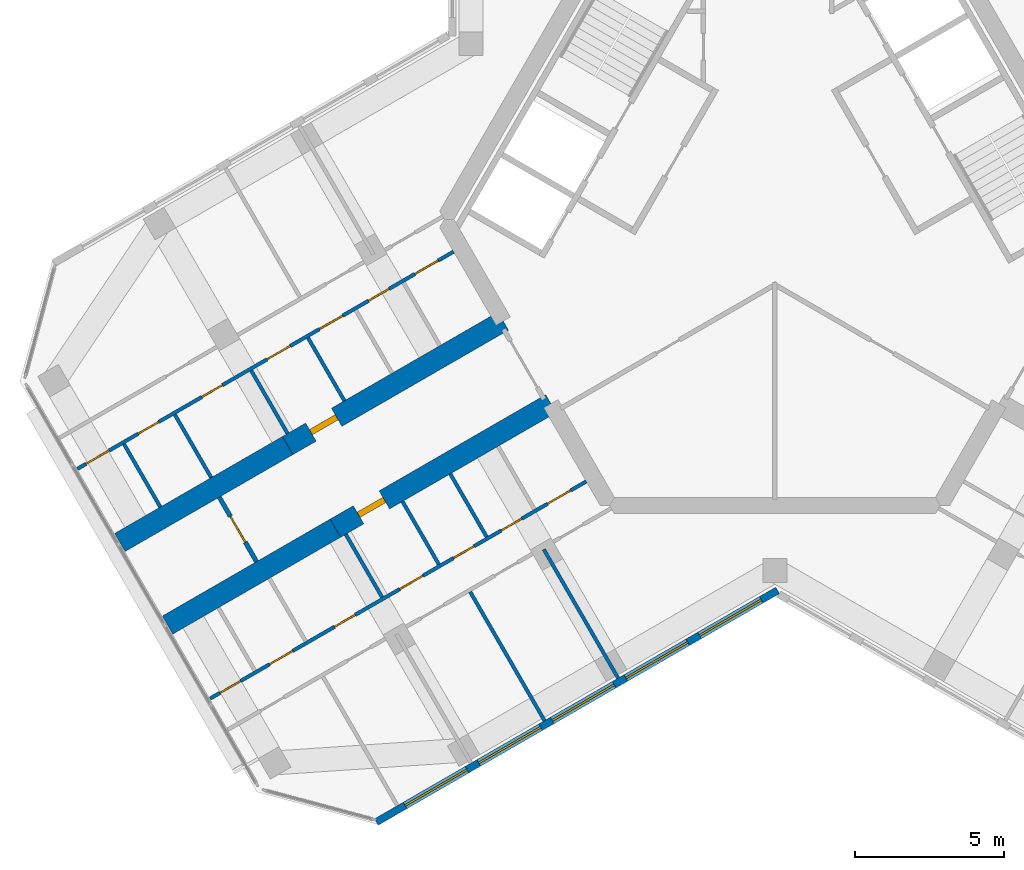
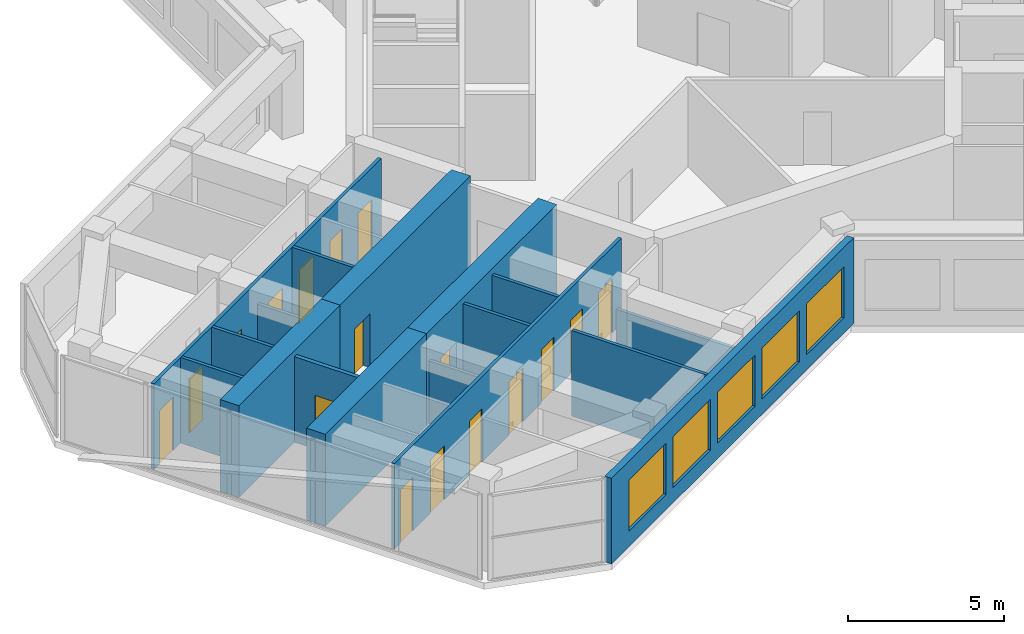
# One storey, part 7 of 14: 17 doors, 17 walls, 5 windows, 22 openings.
"""IFC4 building model written with IfcOpenShell, lengths in metres."""

from ifc_helpers import new_model, si_unit, direction, frame, frame_2d, origin, place, context, subcontext, project, spatial, rectangle, extrude, material, layer, layer_set, type_object, element, fill, save


model = new_model("IFC4")

# Units and contexts
model_context = context("Model", 3, precision=1e-05, world=origin(), true_north=direction((0.0, 1.0)))
body_context = subcontext(model_context, "Body", "Model", "MODEL_VIEW")
ifc_project = project(units=[si_unit("LENGTHUNIT", "METRE"), si_unit("AREAUNIT", "SQUARE_METRE"), si_unit("VOLUMEUNIT", "CUBIC_METRE"), si_unit("PLANEANGLEUNIT", "RADIAN"), si_unit("MASSUNIT", "GRAM", prefix="KILO")], contexts=[model_context])

# Site, building, storey
site_placement = place(None, origin())
site = spatial("IfcSite", under=ifc_project, at=site_placement, CompositionType="ELEMENT")
building_placement = place(site_placement, origin())
building = spatial("IfcBuilding", under=site, at=building_placement, Name="Kosmar Iwan School Tower", CompositionType="ELEMENT")
storey_placement = place(building_placement, frame((0.0, 0.0, 278.199951171875)))
storey = spatial("IfcBuildingStorey", under=building, at=storey_placement, Name="L70", CompositionType="ELEMENT", Elevation=278.199951171875)

# Wall, opening, door
ifc_material_1 = material(Name="Concrete C50/60", Category="concrete")
ifc_layer_1 = layer(ifc_material_1, 0.699951171875)
ifc_layer_set_1 = layer_set([ifc_layer_1], Name="Corridor buttress wall 700")
wall_type_1 = type_object("IfcWallType", Name="Corridor buttress wall 700", PredefinedType="SHEAR", material=ifc_layer_set_1)
wall_1_placement = place(storey_placement, frame((-7.513916015625, -6.185546875, 0.0), z_axis=(0.0, 0.0, 1.0), x_axis=(-0.866019549707, -0.500010139422, 0.0)))
wall_1 = element("IfcWall", 1, at=wall_1_placement, inside=storey, type_object=wall_type_1, Name="Corridor wall BL", PredefinedType="SHEAR", context=body_context, shape_type="SweptSolid", body=[
    extrude(rectangle(XDim=8.349853515625, YDim=0.699951171875, at=frame_2d((4.1748046875, 0.0))), origin(), (0.0, 0.0, 1.0), 3.60009765625),
])
opening_1_placement = place(wall_1_placement, frame((6.449951171875, 0.0, 0.0)))
opening_1 = element("IfcOpeningElement", 2, at=opening_1_placement, cuts=wall_1, Name="Opening D1", PredefinedType="OPENING", context=body_context, shape_type="SweptSolid", body=[
    extrude(rectangle(XDim=1.0, YDim=2.10009765625, at=frame_2d((0.5, 1.050048828125))), frame((0.0, 0.362060546875, 0.0), z_axis=(0.0, -1.0, 0.0), x_axis=(1.0, 0.0, 0.0)), (0.0, 0.0, 1.0), 0.723876953125),
])
ifc_material_2 = material(Name="Timber fire door in steel frame", Category="steel")
door_type_1 = type_object("IfcDoorType", Name="Flat entrance door 1000x2100", OperationType="SINGLE_SWING_LEFT", PredefinedType="DOOR", material=ifc_material_2)
door_1_placement = place(opening_1_placement, origin())
door_1 = element("IfcDoor", 3, at=door_1_placement, inside=storey, type_object=door_type_1, Name="Flat L70-BL1 entrance door", OperationType="SINGLE_SWING_LEFT", OverallHeight=2.10009765625, OverallWidth=1.0, PredefinedType="DOOR", context=body_context, shape_type="SweptSolid", body=[
    extrude(rectangle(XDim=1.0, YDim=2.10009765625, at=frame_2d((0.5, 1.050048828125))), frame((0.0, 0.10009765625, 0.0), z_axis=(0.0, -1.0, 0.0), x_axis=(1.0, 0.0, 0.0)), (0.0, 0.0, 1.0), 0.199951171875),
])
fill(opening_1, door_1)

# Wall
wall_2_placement = place(storey_placement, frame((-14.7451171875, -10.360595703125, 0.0), z_axis=(0.0, 0.0, 1.0), x_axis=(-0.866027848477, -0.499995765644, 0.0)))
element("IfcWall", 4, at=wall_2_placement, inside=storey, type_object=wall_type_1, Name="Corridor wall BL bay 2", PredefinedType="SHEAR", context=body_context, shape_type="SweptSolid", body=[
    extrude(rectangle(XDim=6.4951171875, YDim=0.699951171875, at=frame_2d((3.24755859375, 0.0))), origin(), (0.0, 0.0, 1.0), 3.60009765625),
])

# Wall, opening, door
wall_3_placement = place(storey_placement, frame((-9.11376953125, -3.414306640625, 0.0), z_axis=(0.0, 0.0, 1.0), x_axis=(-0.866026859388, -0.499997478812, 0.0)))
wall_3 = element("IfcWall", 5, at=wall_3_placement, inside=storey, type_object=wall_type_1, Name="Corridor wall BR", PredefinedType="SHEAR", context=body_context, shape_type="SweptSolid", body=[
    extrude(rectangle(XDim=8.35009765625, YDim=0.699951171875, at=frame_2d((4.175048828125, 0.0))), origin(), (0.0, 0.0, 1.0), 3.60009765625),
])
opening_2_placement = place(wall_3_placement, frame((6.449951171875, 0.0, 0.0)))
opening_2 = element("IfcOpeningElement", 6, at=opening_2_placement, cuts=wall_3, Name="Opening D1", PredefinedType="OPENING", context=body_context, shape_type="SweptSolid", body=[
    extrude(rectangle(XDim=1.0, YDim=2.10009765625, at=frame_2d((0.5, 1.050048828125))), frame((0.0, 0.362060546875, 0.0), z_axis=(0.0, -1.0, 0.0), x_axis=(1.0, 0.0, 0.0)), (0.0, 0.0, 1.0), 0.723876953125),
])
door_2_placement = place(opening_2_placement, origin())
door_2 = element("IfcDoor", 7, at=door_2_placement, inside=storey, type_object=door_type_1, Name="Flat L70-BR1 entrance door", OperationType="SINGLE_SWING_RIGHT", OverallHeight=2.10009765625, OverallWidth=1.0, PredefinedType="DOOR", context=body_context, shape_type="SweptSolid", body=[
    extrude(rectangle(XDim=1.0, YDim=2.10009765625, at=frame_2d((0.5, 1.050048828125))), frame((0.0, 0.10009765625, 0.0), z_axis=(0.0, -1.0, 0.0), x_axis=(1.0, 0.0, 0.0)), (0.0, 0.0, 1.0), 0.199951171875),
])
fill(opening_2, door_2)

# Wall
wall_4_placement = place(storey_placement, frame((-16.34521484375, -7.58935546875, 0.0), z_axis=(0.0, 0.0, 1.0), x_axis=(-0.866018451174, -0.500012042081, 0.0)))
element("IfcWall", 8, at=wall_4_placement, inside=storey, type_object=wall_type_1, Name="Corridor wall BR bay 2", PredefinedType="SHEAR", context=body_context, shape_type="SweptSolid", body=[
    extrude(rectangle(XDim=6.494873046875, YDim=0.699951171875, at=frame_2d((3.24755859375, 0.0))), origin(), (0.0, 0.0, 1.0), 3.60009765625),
])

# Wall, opening, door
ifc_material_3 = material(Name="Gypsum board on steel studs, fire-rated", Category="steel")
ifc_layer_2 = layer(ifc_material_3, 0.14990234375)
ifc_layer_set_2 = layer_set([ifc_layer_2], Name="Corridor end wall 150")
wall_type_2 = type_object("IfcWallType", Name="Corridor end wall 150", PredefinedType="PARTITIONING", material=ifc_layer_set_2)
wall_5_placement = place(storey_placement, frame((-18.638427734375, -9.3173828125, 0.0), z_axis=(0.0, 0.0, 1.0), x_axis=(0.500004234368, -0.866022959057, 0.0)))
wall_5 = element("IfcWall", 9, at=wall_5_placement, inside=storey, type_object=wall_type_2, Name="Partition L70-B-CE", PredefinedType="PARTITIONING", context=body_context, shape_type="SweptSolid", body=[
    extrude(rectangle(XDim=2.5, YDim=0.14990234375, at=frame_2d((1.25, 0.0))), origin(), (0.0, 0.0, 1.0), 3.35009765625),
])
opening_3_placement = place(wall_5_placement, frame((0.75, 0.0, 0.0)))
opening_3 = element("IfcOpeningElement", 10, at=opening_3_placement, cuts=wall_5, Name="Opening D13", PredefinedType="OPENING", context=body_context, shape_type="SweptSolid", body=[
    extrude(rectangle(XDim=1.0, YDim=2.10009765625, at=frame_2d((0.5, 1.050048828125))), frame((0.0, 0.0869140625, 0.0), z_axis=(0.0, -1.0, 0.0), x_axis=(1.0, 0.0, 0.0)), (0.0, 0.0, 1.0), 0.173828125),
])
ifc_material_4 = material(Name="Timber fire door with vision panel", Category="wood")
door_type_2 = type_object("IfcDoorType", Name="Corridor end door 1000x2100", OperationType="SINGLE_SWING_LEFT", PredefinedType="DOOR", material=ifc_material_4)
door_3_placement = place(opening_3_placement, origin())
door_3 = element("IfcDoor", 11, at=door_3_placement, inside=storey, type_object=door_type_2, Name="Prayer room door L70-B", OperationType="SINGLE_SWING_LEFT", OverallHeight=2.10009765625, OverallWidth=1.0, PredefinedType="DOOR", context=body_context, shape_type="SweptSolid", body=[
    extrude(rectangle(XDim=1.0, YDim=2.10009765625, at=frame_2d((0.5, 1.050048828125))), frame((0.0, 0.02490234375, 0.0), z_axis=(0.0, -1.0, 0.0), x_axis=(1.0, 0.0, 0.0)), (0.0, 0.0, 1.0), 0.050048828125),
])
fill(opening_3, door_3)

# Wall, openings, doors
ifc_material_5 = material(Name="Gypsum board on steel studs", Category="steel")
ifc_layer_3 = layer(ifc_material_5, 0.1201171875)
ifc_layer_set_3 = layer_set([ifc_layer_3], Name="Dwelling partition 120")
wall_type_3 = type_object("IfcWallType", Name="Dwelling partition 120", PredefinedType="PARTITIONING", material=ifc_layer_set_3)
wall_6_placement = place(storey_placement, frame((-6.326904296875, -8.791259765625, 0.0), z_axis=(0.0, 0.0, 1.0), x_axis=(-0.866023744513, -0.500002873931, 0.0)))
wall_6 = element("IfcWall", 12, at=wall_6_placement, inside=storey, type_object=wall_type_3, Name="Partition L70-BL1-W1", PredefinedType="PARTITIONING", context=body_context, shape_type="SweptSolid", body=[
    extrude(rectangle(XDim=14.5703125, YDim=0.1201171875, at=frame_2d((7.28515625, 0.0))), origin(), (0.0, 0.0, 1.0), 3.35009765625),
])
opening_4_placement = place(wall_6_placement, frame((0.60009765625, 0.0, 0.0)))
opening_4 = element("IfcOpeningElement", 13, at=opening_4_placement, cuts=wall_6, Name="Opening D2", PredefinedType="OPENING", context=body_context, shape_type="SweptSolid", body=[
    extrude(rectangle(XDim=0.89990234375, YDim=2.10009765625, at=frame_2d((0.449951171875, 1.050048828125))), frame((0.0, 0.072021484375, 0.0), z_axis=(0.0, -1.0, 0.0), x_axis=(1.0, 0.0, 0.0)), (0.0, 0.0, 1.0), 0.14404296875),
])
opening_5_placement = place(wall_6_placement, frame((2.5, 0.0, 0.0)))
opening_5 = element("IfcOpeningElement", 14, at=opening_5_placement, cuts=wall_6, Name="Opening D3", PredefinedType="OPENING", context=body_context, shape_type="SweptSolid", body=[
    extrude(rectangle(XDim=0.800048828125, YDim=2.10009765625, at=frame_2d((0.39990234375, 1.050048828125))), frame((0.0, 0.072021484375, 0.0), z_axis=(0.0, -1.0, 0.0), x_axis=(1.0, 0.0, 0.0)), (0.0, 0.0, 1.0), 0.14404296875),
])
opening_6_placement = place(wall_6_placement, frame((4.35009765625, 0.0, 0.0)))
opening_6 = element("IfcOpeningElement", 15, at=opening_6_placement, cuts=wall_6, Name="Opening D3", PredefinedType="OPENING", context=body_context, shape_type="SweptSolid", body=[
    extrude(rectangle(XDim=0.800048828125, YDim=2.10009765625, at=frame_2d((0.39990234375, 1.050048828125))), frame((0.0, 0.072021484375, 0.0), z_axis=(0.0, -1.0, 0.0), x_axis=(1.0, 0.0, 0.0)), (0.0, 0.0, 1.0), 0.14404296875),
])
opening_7_placement = place(wall_6_placement, frame((6.324951171875, 0.0, 0.0)))
opening_7 = element("IfcOpeningElement", 16, at=opening_7_placement, cuts=wall_6, Name="Opening D2", PredefinedType="OPENING", context=body_context, shape_type="SweptSolid", body=[
    extrude(rectangle(XDim=0.89990234375, YDim=2.10009765625, at=frame_2d((0.449951171875, 1.050048828125))), frame((0.0, 0.072021484375, 0.0), z_axis=(0.0, -1.0, 0.0), x_axis=(1.0, 0.0, 0.0)), (0.0, 0.0, 1.0), 0.14404296875),
])
opening_8_placement = place(wall_6_placement, frame((8.95361328125, 0.0, 0.0)))
opening_8 = element("IfcOpeningElement", 17, at=opening_8_placement, cuts=wall_6, Name="Opening D3", PredefinedType="OPENING", context=body_context, shape_type="SweptSolid", body=[
    extrude(rectangle(XDim=0.800048828125, YDim=2.10009765625, at=frame_2d((0.39990234375, 1.050048828125))), frame((0.0, 0.072021484375, 0.0), z_axis=(0.0, -1.0, 0.0), x_axis=(1.0, 0.0, 0.0)), (0.0, 0.0, 1.0), 0.14404296875),
])
opening_9_placement = place(wall_6_placement, frame((11.367919921875, 0.0, 0.0)))
opening_9 = element("IfcOpeningElement", 18, at=opening_9_placement, cuts=wall_6, Name="Opening D2", PredefinedType="OPENING", context=body_context, shape_type="SweptSolid", body=[
    extrude(rectangle(XDim=0.89990234375, YDim=2.10009765625, at=frame_2d((0.449951171875, 1.050048828125))), frame((0.0, 0.072021484375, 0.0), z_axis=(0.0, -1.0, 0.0), x_axis=(1.0, 0.0, 0.0)), (0.0, 0.0, 1.0), 0.14404296875),
])
opening_10_placement = place(wall_6_placement, frame((13.389404296875, 0.0, 0.0)))
opening_10 = element("IfcOpeningElement", 19, at=opening_10_placement, cuts=wall_6, Name="Opening D3", PredefinedType="OPENING", context=body_context, shape_type="SweptSolid", body=[
    extrude(rectangle(XDim=0.800048828125, YDim=2.10009765625, at=frame_2d((0.39990234375, 1.050048828125))), frame((0.0, 0.072021484375, 0.0), z_axis=(0.0, -1.0, 0.0), x_axis=(1.0, 0.0, 0.0)), (0.0, 0.0, 1.0), 0.14404296875),
])
ifc_material_6 = material(Name="Timber door in timber frame", Category="wood")
door_type_3 = type_object("IfcDoorType", Name="Internal door 900x2100", OperationType="SINGLE_SWING_LEFT", PredefinedType="DOOR", material=ifc_material_6)
door_4_placement = place(opening_4_placement, origin())
door_4 = element("IfcDoor", 20, at=door_4_placement, inside=storey, type_object=door_type_3, Name="Utility room door L70-BL1-S1", OperationType="SINGLE_SWING_LEFT", OverallHeight=2.10009765625, OverallWidth=0.89990234375, PredefinedType="DOOR", context=body_context, shape_type="SweptSolid", body=[
    extrude(rectangle(XDim=0.89990234375, YDim=2.10009765625, at=frame_2d((0.449951171875, 1.050048828125))), frame((0.0, 0.02490234375, 0.0), z_axis=(0.0, -1.0, 0.0), x_axis=(1.0, 0.0, 0.0)), (0.0, 0.0, 1.0), 0.050048828125),
])
fill(opening_4, door_4)
door_5_placement = place(opening_7_placement, origin())
door_5 = element("IfcDoor", 21, at=door_5_placement, inside=storey, type_object=door_type_3, Name="Entrance hall door L70-BL1-S4", OperationType="SINGLE_SWING_LEFT", OverallHeight=2.10009765625, OverallWidth=0.89990234375, PredefinedType="DOOR", context=body_context, shape_type="SweptSolid", body=[
    extrude(rectangle(XDim=0.89990234375, YDim=2.10009765625, at=frame_2d((0.449951171875, 1.050048828125))), frame((0.0, 0.02490234375, 0.0), z_axis=(0.0, -1.0, 0.0), x_axis=(1.0, 0.0, 0.0)), (0.0, 0.0, 1.0), 0.050048828125),
])
fill(opening_7, door_5)
door_6_placement = place(opening_9_placement, origin())
door_6 = element("IfcDoor", 22, at=door_6_placement, inside=storey, type_object=door_type_3, Name="Pantry door L70-BL1-S6", OperationType="SINGLE_SWING_RIGHT", OverallHeight=2.10009765625, OverallWidth=0.89990234375, PredefinedType="DOOR", context=body_context, shape_type="SweptSolid", body=[
    extrude(rectangle(XDim=0.89990234375, YDim=2.10009765625, at=frame_2d((0.449951171875, 1.050048828125))), frame((0.0, 0.02490234375, 0.0), z_axis=(0.0, -1.0, 0.0), x_axis=(1.0, 0.0, 0.0)), (0.0, 0.0, 1.0), 0.050048828125),
])
fill(opening_9, door_6)
ifc_material_7 = material(Name="Timber door in timber frame", Category="wood")
door_type_4 = type_object("IfcDoorType", Name="Sanitary room door 800x2100", OperationType="SINGLE_SWING_LEFT", PredefinedType="DOOR", material=ifc_material_7)
door_7_placement = place(opening_5_placement, origin())
door_7 = element("IfcDoor", 23, at=door_7_placement, inside=storey, type_object=door_type_4, Name="WC door L70-BL1-S2", OperationType="SINGLE_SWING_LEFT", OverallHeight=2.10009765625, OverallWidth=0.800048828125, PredefinedType="DOOR", context=body_context, shape_type="SweptSolid", body=[
    extrude(rectangle(XDim=0.800048828125, YDim=2.10009765625, at=frame_2d((0.39990234375, 1.050048828125))), frame((0.0, 0.02490234375, 0.0), z_axis=(0.0, -1.0, 0.0), x_axis=(1.0, 0.0, 0.0)), (0.0, 0.0, 1.0), 0.050048828125),
])
fill(opening_5, door_7)
door_8_placement = place(opening_6_placement, origin())
door_8 = element("IfcDoor", 24, at=door_8_placement, inside=storey, type_object=door_type_4, Name="Shower room door L70-BL1-S3", OperationType="SINGLE_SWING_LEFT", OverallHeight=2.10009765625, OverallWidth=0.800048828125, PredefinedType="DOOR", context=body_context, shape_type="SweptSolid", body=[
    extrude(rectangle(XDim=0.800048828125, YDim=2.10009765625, at=frame_2d((0.39990234375, 1.050048828125))), frame((0.0, 0.02490234375, 0.0), z_axis=(0.0, -1.0, 0.0), x_axis=(1.0, 0.0, 0.0)), (0.0, 0.0, 1.0), 0.050048828125),
])
fill(opening_6, door_8)
door_9_placement = place(opening_8_placement, origin())
door_9 = element("IfcDoor", 25, at=door_9_placement, inside=storey, type_object=door_type_4, Name="Bathroom door L70-BL1-S5", OperationType="SINGLE_SWING_RIGHT", OverallHeight=2.10009765625, OverallWidth=0.800048828125, PredefinedType="DOOR", context=body_context, shape_type="SweptSolid", body=[
    extrude(rectangle(XDim=0.800048828125, YDim=2.10009765625, at=frame_2d((0.39990234375, 1.050048828125))), frame((0.0, 0.02490234375, 0.0), z_axis=(0.0, -1.0, 0.0), x_axis=(1.0, 0.0, 0.0)), (0.0, 0.0, 1.0), 0.050048828125),
])
fill(opening_8, door_9)
door_10_placement = place(opening_10_placement, origin())
door_10 = element("IfcDoor", 26, at=door_10_placement, inside=storey, type_object=door_type_4, Name="Store door L70-BL1-S7", OperationType="SINGLE_SWING_RIGHT", OverallHeight=2.10009765625, OverallWidth=0.800048828125, PredefinedType="DOOR", context=body_context, shape_type="SweptSolid", body=[
    extrude(rectangle(XDim=0.800048828125, YDim=2.10009765625, at=frame_2d((0.39990234375, 1.050048828125))), frame((0.0, 0.02490234375, 0.0), z_axis=(0.0, -1.0, 0.0), x_axis=(1.0, 0.0, 0.0)), (0.0, 0.0, 1.0), 0.050048828125),
])
fill(opening_10, door_10)

# Walls
wall_7_placement = place(storey_placement, frame((-7.75390625, -11.070068359375, 0.0), z_axis=(0.0, 0.0, 1.0), x_axis=(0.500011847778, -0.866018563358, 0.0)))
element("IfcWall", 27, at=wall_7_placement, inside=storey, type_object=wall_type_3, Name="Partition L70-BL1-X1", PredefinedType="PARTITIONING", context=body_context, shape_type="SweptSolid", body=[
    extrude(rectangle(XDim=4.990234375, YDim=0.1201171875, at=frame_2d((2.4951171875, 0.0))), origin(), (0.0, 0.0, 1.0), 2.449951171875),
])
wall_8_placement = place(storey_placement, frame((-10.221923828125, -12.4951171875, 0.0), z_axis=(0.0, 0.0, 1.0), x_axis=(0.499996339024, -0.86602751744, 0.0)))
element("IfcWall", 28, at=wall_8_placement, inside=storey, type_object=wall_type_3, Name="Partition L70-BL1-X2", PredefinedType="PARTITIONING", context=body_context, shape_type="SweptSolid", body=[
    extrude(rectangle(XDim=4.98974609375, YDim=0.1201171875, at=frame_2d((2.494873046875, 0.0))), origin(), (0.0, 0.0, 1.0), 3.35009765625),
])
wall_9_placement = place(storey_placement, frame((-10.8896484375, -8.538818359375, 0.0), z_axis=(0.0, 0.0, 1.0), x_axis=(0.500077547548, -0.865980627057, 0.0)))
element("IfcWall", 29, at=wall_9_placement, inside=storey, type_object=wall_type_3, Name="Partition L70-BL1-Y2", PredefinedType="PARTITIONING", context=body_context, shape_type="SweptSolid", body=[
    extrude(rectangle(XDim=2.43994140625, YDim=0.1201171875, at=frame_2d((1.219970703125, 0.0))), origin(), (0.0, 0.0, 1.0), 3.35009765625),
])
wall_10_placement = place(storey_placement, frame((-12.49169921875, -9.463623046875, 0.0), z_axis=(0.0, 0.0, 1.0), x_axis=(0.499959183527, -0.866048967903, 0.0)))
element("IfcWall", 30, at=wall_10_placement, inside=storey, type_object=wall_type_3, Name="Partition L70-BL1-Y3", PredefinedType="PARTITIONING", context=body_context, shape_type="SweptSolid", body=[
    extrude(rectangle(XDim=2.440185546875, YDim=0.1201171875, at=frame_2d((1.22021484375, 0.0))), origin(), (0.0, 0.0, 1.0), 3.35009765625),
])
wall_11_placement = place(storey_placement, frame((-14.39697265625, -10.563720703125, 0.0), z_axis=(0.0, 0.0, 1.0), x_axis=(0.500002508028, -0.866023955769, 0.0)))
element("IfcWall", 31, at=wall_11_placement, inside=storey, type_object=wall_type_3, Name="Partition L70-BL1-Y4", PredefinedType="PARTITIONING", context=body_context, shape_type="SweptSolid", body=[
    extrude(rectangle(XDim=2.43994140625, YDim=0.1201171875, at=frame_2d((1.219970703125, 0.0))), origin(), (0.0, 0.0, 1.0), 2.449951171875),
])

# Wall, openings, doors
wall_12_placement = place(storey_placement, frame((-10.777099609375, -1.083740234375, 0.0), z_axis=(0.0, 0.0, 1.0), x_axis=(-0.866026811131, -0.499997562396, 0.0)))
wall_12 = element("IfcWall", 32, at=wall_12_placement, inside=storey, type_object=wall_type_3, Name="Partition L70-BR1-W1", PredefinedType="PARTITIONING", context=body_context, shape_type="SweptSolid", body=[
    extrude(rectangle(XDim=14.56982421875, YDim=0.1201171875, at=frame_2d((7.284912109375, 0.0))), origin(), (0.0, 0.0, 1.0), 3.35009765625),
])
opening_11_placement = place(wall_12_placement, frame((0.60009765625, 0.0, 0.0)))
opening_11 = element("IfcOpeningElement", 33, at=opening_11_placement, cuts=wall_12, Name="Opening D2", PredefinedType="OPENING", context=body_context, shape_type="SweptSolid", body=[
    extrude(rectangle(XDim=0.89990234375, YDim=2.10009765625, at=frame_2d((0.449951171875, 1.050048828125))), frame((0.0, 0.072021484375, 0.0), z_axis=(0.0, -1.0, 0.0), x_axis=(1.0, 0.0, 0.0)), (0.0, 0.0, 1.0), 0.14404296875),
])
opening_12_placement = place(wall_12_placement, frame((2.5, 0.0, 0.0)))
opening_12 = element("IfcOpeningElement", 34, at=opening_12_placement, cuts=wall_12, Name="Opening D3", PredefinedType="OPENING", context=body_context, shape_type="SweptSolid", body=[
    extrude(rectangle(XDim=0.800048828125, YDim=2.10009765625, at=frame_2d((0.39990234375, 1.050048828125))), frame((0.0, 0.072021484375, 0.0), z_axis=(0.0, -1.0, 0.0), x_axis=(1.0, 0.0, 0.0)), (0.0, 0.0, 1.0), 0.14404296875),
])
opening_13_placement = place(wall_12_placement, frame((4.300048828125, 0.0, 0.0)))
opening_13 = element("IfcOpeningElement", 35, at=opening_13_placement, cuts=wall_12, Name="Opening D2", PredefinedType="OPENING", context=body_context, shape_type="SweptSolid", body=[
    extrude(rectangle(XDim=0.89990234375, YDim=2.10009765625, at=frame_2d((0.449951171875, 1.050048828125))), frame((0.0, 0.072021484375, 0.0), z_axis=(0.0, -1.0, 0.0), x_axis=(1.0, 0.0, 0.0)), (0.0, 0.0, 1.0), 0.14404296875),
])
opening_14_placement = place(wall_12_placement, frame((6.324951171875, 0.0, 0.0)))
opening_14 = element("IfcOpeningElement", 36, at=opening_14_placement, cuts=wall_12, Name="Opening D2", PredefinedType="OPENING", context=body_context, shape_type="SweptSolid", body=[
    extrude(rectangle(XDim=0.89990234375, YDim=2.10009765625, at=frame_2d((0.449951171875, 1.050048828125))), frame((0.0, 0.072021484375, 0.0), z_axis=(0.0, -1.0, 0.0), x_axis=(1.0, 0.0, 0.0)), (0.0, 0.0, 1.0), 0.14404296875),
])
opening_15_placement = place(wall_12_placement, frame((8.95361328125, 0.0, 0.0)))
opening_15 = element("IfcOpeningElement", 37, at=opening_15_placement, cuts=wall_12, Name="Opening D3", PredefinedType="OPENING", context=body_context, shape_type="SweptSolid", body=[
    extrude(rectangle(XDim=0.800048828125, YDim=2.10009765625, at=frame_2d((0.39990234375, 1.050048828125))), frame((0.0, 0.072021484375, 0.0), z_axis=(0.0, -1.0, 0.0), x_axis=(1.0, 0.0, 0.0)), (0.0, 0.0, 1.0), 0.14404296875),
])
opening_16_placement = place(wall_12_placement, frame((11.41796875, 0.0, 0.0)))
opening_16 = element("IfcOpeningElement", 38, at=opening_16_placement, cuts=wall_12, Name="Opening D3", PredefinedType="OPENING", context=body_context, shape_type="SweptSolid", body=[
    extrude(rectangle(XDim=0.800048828125, YDim=2.10009765625, at=frame_2d((0.39990234375, 1.050048828125))), frame((0.0, 0.072021484375, 0.0), z_axis=(0.0, -1.0, 0.0), x_axis=(1.0, 0.0, 0.0)), (0.0, 0.0, 1.0), 0.14404296875),
])
opening_17_placement = place(wall_12_placement, frame((13.33935546875, 0.0, 0.0)))
opening_17 = element("IfcOpeningElement", 39, at=opening_17_placement, cuts=wall_12, Name="Opening D2", PredefinedType="OPENING", context=body_context, shape_type="SweptSolid", body=[
    extrude(rectangle(XDim=0.89990234375, YDim=2.10009765625, at=frame_2d((0.449951171875, 1.050048828125))), frame((0.0, 0.072021484375, 0.0), z_axis=(0.0, -1.0, 0.0), x_axis=(1.0, 0.0, 0.0)), (0.0, 0.0, 1.0), 0.14404296875),
])
door_11_placement = place(opening_11_placement, origin())
door_11 = element("IfcDoor", 40, at=door_11_placement, inside=storey, type_object=door_type_3, Name="Dressing room door L70-BR1-S1", OperationType="SINGLE_SWING_LEFT", OverallHeight=2.10009765625, OverallWidth=0.89990234375, PredefinedType="DOOR", context=body_context, shape_type="SweptSolid", body=[
    extrude(rectangle(XDim=0.89990234375, YDim=2.10009765625, at=frame_2d((0.449951171875, 1.050048828125))), frame((0.0, 0.02490234375, 0.0), z_axis=(0.0, -1.0, 0.0), x_axis=(1.0, 0.0, 0.0)), (0.0, 0.0, 1.0), 0.050048828125),
])
fill(opening_11, door_11)
door_12_placement = place(opening_13_placement, origin())
door_12 = element("IfcDoor", 41, at=door_12_placement, inside=storey, type_object=door_type_3, Name="Pantry door L70-BR1-S3", OperationType="SINGLE_SWING_LEFT", OverallHeight=2.10009765625, OverallWidth=0.89990234375, PredefinedType="DOOR", context=body_context, shape_type="SweptSolid", body=[
    extrude(rectangle(XDim=0.89990234375, YDim=2.10009765625, at=frame_2d((0.449951171875, 1.050048828125))), frame((0.0, 0.02490234375, 0.0), z_axis=(0.0, -1.0, 0.0), x_axis=(1.0, 0.0, 0.0)), (0.0, 0.0, 1.0), 0.050048828125),
])
fill(opening_13, door_12)
door_13_placement = place(opening_14_placement, origin())
door_13 = element("IfcDoor", 42, at=door_13_placement, inside=storey, type_object=door_type_3, Name="Entrance hall door L70-BR1-S4", OperationType="SINGLE_SWING_RIGHT", OverallHeight=2.10009765625, OverallWidth=0.89990234375, PredefinedType="DOOR", context=body_context, shape_type="SweptSolid", body=[
    extrude(rectangle(XDim=0.89990234375, YDim=2.10009765625, at=frame_2d((0.449951171875, 1.050048828125))), frame((0.0, 0.02490234375, 0.0), z_axis=(0.0, -1.0, 0.0), x_axis=(1.0, 0.0, 0.0)), (0.0, 0.0, 1.0), 0.050048828125),
])
fill(opening_14, door_13)
door_14_placement = place(opening_17_placement, origin())
door_14 = element("IfcDoor", 43, at=door_14_placement, inside=storey, type_object=door_type_3, Name="Utility room door L70-BR1-S7", OperationType="SINGLE_SWING_RIGHT", OverallHeight=2.10009765625, OverallWidth=0.89990234375, PredefinedType="DOOR", context=body_context, shape_type="SweptSolid", body=[
    extrude(rectangle(XDim=0.89990234375, YDim=2.10009765625, at=frame_2d((0.449951171875, 1.050048828125))), frame((0.0, 0.02490234375, 0.0), z_axis=(0.0, -1.0, 0.0), x_axis=(1.0, 0.0, 0.0)), (0.0, 0.0, 1.0), 0.050048828125),
])
fill(opening_17, door_14)
door_15_placement = place(opening_12_placement, origin())
door_15 = element("IfcDoor", 44, at=door_15_placement, inside=storey, type_object=door_type_4, Name="Store door L70-BR1-S2", OperationType="SINGLE_SWING_RIGHT", OverallHeight=2.10009765625, OverallWidth=0.800048828125, PredefinedType="DOOR", context=body_context, shape_type="SweptSolid", body=[
    extrude(rectangle(XDim=0.800048828125, YDim=2.10009765625, at=frame_2d((0.39990234375, 1.050048828125))), frame((0.0, 0.02490234375, 0.0), z_axis=(0.0, -1.0, 0.0), x_axis=(1.0, 0.0, 0.0)), (0.0, 0.0, 1.0), 0.050048828125),
])
fill(opening_12, door_15)
door_16_placement = place(opening_15_placement, origin())
door_16 = element("IfcDoor", 45, at=door_16_placement, inside=storey, type_object=door_type_4, Name="Bathroom door L70-BR1-S5", OperationType="SINGLE_SWING_LEFT", OverallHeight=2.10009765625, OverallWidth=0.800048828125, PredefinedType="DOOR", context=body_context, shape_type="SweptSolid", body=[
    extrude(rectangle(XDim=0.800048828125, YDim=2.10009765625, at=frame_2d((0.39990234375, 1.050048828125))), frame((0.0, 0.02490234375, 0.0), z_axis=(0.0, -1.0, 0.0), x_axis=(1.0, 0.0, 0.0)), (0.0, 0.0, 1.0), 0.050048828125),
])
fill(opening_15, door_16)
door_17_placement = place(opening_16_placement, origin())
door_17 = element("IfcDoor", 46, at=door_17_placement, inside=storey, type_object=door_type_4, Name="WC door L70-BR1-S6", OperationType="SINGLE_SWING_RIGHT", OverallHeight=2.10009765625, OverallWidth=0.800048828125, PredefinedType="DOOR", context=body_context, shape_type="SweptSolid", body=[
    extrude(rectangle(XDim=0.800048828125, YDim=2.10009765625, at=frame_2d((0.39990234375, 1.050048828125))), frame((0.0, 0.02490234375, 0.0), z_axis=(0.0, -1.0, 0.0), x_axis=(1.0, 0.0, 0.0)), (0.0, 0.0, 1.0), 0.050048828125),
])
fill(opening_16, door_17)

# Walls
wall_13_placement = place(storey_placement, frame((-14.441650390625, -6.086181640625, 0.0), z_axis=(0.0, 0.0, 1.0), x_axis=(-0.500002508028, 0.866023955769, 0.0)))
element("IfcWall", 47, at=wall_13_placement, inside=storey, type_object=wall_type_3, Name="Partition L70-BR1-Y3", PredefinedType="PARTITIONING", context=body_context, shape_type="SweptSolid", body=[
    extrude(rectangle(XDim=2.43994140625, YDim=0.1201171875, at=frame_2d((1.219970703125, 0.0))), origin(), (0.0, 0.0, 1.0), 3.35009765625),
])
wall_14_placement = place(storey_placement, frame((-16.346923828125, -7.186279296875, 0.0), z_axis=(0.0, 0.0, 1.0), x_axis=(-0.500002508028, 0.866023955769, 0.0)))
element("IfcWall", 48, at=wall_14_placement, inside=storey, type_object=wall_type_3, Name="Partition L70-BR1-Y4", PredefinedType="PARTITIONING", context=body_context, shape_type="SweptSolid", body=[
    extrude(rectangle(XDim=2.43994140625, YDim=0.1201171875, at=frame_2d((1.219970703125, 0.0))), origin(), (0.0, 0.0, 1.0), 2.449951171875),
])
wall_15_placement = place(storey_placement, frame((-18.907958984375, -8.664794921875, 0.0), z_axis=(0.0, 0.0, 1.0), x_axis=(-0.500002508028, 0.866023955769, 0.0)))
element("IfcWall", 49, at=wall_15_placement, inside=storey, type_object=wall_type_3, Name="Partition L70-BR1-Y5", PredefinedType="PARTITIONING", context=body_context, shape_type="SweptSolid", body=[
    extrude(rectangle(XDim=2.43994140625, YDim=0.1201171875, at=frame_2d((1.219970703125, 0.0))), origin(), (0.0, 0.0, 1.0), 3.35009765625),
])
wall_16_placement = place(storey_placement, frame((-20.615234375, -9.650634765625, 0.0), z_axis=(0.0, 0.0, 1.0), x_axis=(-0.499959183527, 0.866048967903, 0.0)))
element("IfcWall", 50, at=wall_16_placement, inside=storey, type_object=wall_type_3, Name="Partition L70-BR1-Y6", PredefinedType="PARTITIONING", context=body_context, shape_type="SweptSolid", body=[
    extrude(rectangle(XDim=2.440185546875, YDim=0.1201171875, at=frame_2d((1.22021484375, 0.0))), origin(), (0.0, 0.0, 1.0), 3.35009765625),
])

# Wall, openings, windows
ifc_material_8 = material(Name="Black aluminium rainscreen on insulated framing", Category="aluminium")
ifc_layer_4 = layer(ifc_material_8, 0.25)
ifc_layer_set_4 = layer_set([ifc_layer_4], Name="External wall rainscreen 250")
wall_type_4 = type_object("IfcWallType", Name="External wall rainscreen 250", PredefinedType="SOLIDWALL", material=ifc_layer_set_4)
wall_17_placement = place(storey_placement, frame((0.088134765625, -12.44873046875, 0.0), z_axis=(0.0, 0.0, 1.0), x_axis=(-0.866029894971, -0.499992220956, 0.0)))
wall_17 = element("IfcWall", 51, at=wall_17_placement, inside=storey, type_object=wall_type_4, Name="External wall BL L70", PredefinedType="SOLIDWALL", context=body_context, shape_type="SweptSolid", body=[
    extrude(rectangle(XDim=15.537353515625, YDim=0.25, at=frame_2d((7.7685546875, 0.0))), origin(), (0.0, 0.0, 1.0), 3.35009765625),
])
opening_18_placement = place(wall_17_placement, frame((0.626953125, 0.0, 0.60009765625)))
opening_18 = element("IfcOpeningElement", 52, at=opening_18_placement, cuts=wall_17, Name="Opening W6", PredefinedType="OPENING", context=body_context, shape_type="SweptSolid", body=[
    extrude(rectangle(XDim=2.39990234375, YDim=2.0, at=frame_2d((1.199951171875, 1.0))), frame((0.0, 0.136962890625, 0.0), z_axis=(0.0, -1.0, 0.0), x_axis=(1.0, 0.0, 0.0)), (0.0, 0.0, 1.0), 0.27392578125),
])
opening_19_placement = place(wall_17_placement, frame((3.47705078125, 0.0, 0.60009765625)))
opening_19 = element("IfcOpeningElement", 53, at=opening_19_placement, cuts=wall_17, Name="Opening W6", PredefinedType="OPENING", context=body_context, shape_type="SweptSolid", body=[
    extrude(rectangle(XDim=2.39990234375, YDim=2.0, at=frame_2d((1.199951171875, 1.0))), frame((0.0, 0.136962890625, 0.0), z_axis=(0.0, -1.0, 0.0), x_axis=(1.0, 0.0, 0.0)), (0.0, 0.0, 1.0), 0.27392578125),
])
opening_20_placement = place(wall_17_placement, frame((6.326904296875, 0.0, 0.60009765625)))
opening_20 = element("IfcOpeningElement", 54, at=opening_20_placement, cuts=wall_17, Name="Opening W6", PredefinedType="OPENING", context=body_context, shape_type="SweptSolid", body=[
    extrude(rectangle(XDim=2.39990234375, YDim=2.0, at=frame_2d((1.199951171875, 1.0))), frame((0.0, 0.136962890625, 0.0), z_axis=(0.0, -1.0, 0.0), x_axis=(1.0, 0.0, 0.0)), (0.0, 0.0, 1.0), 0.27392578125),
])
opening_21_placement = place(wall_17_placement, frame((9.177001953125, 0.0, 0.60009765625)))
opening_21 = element("IfcOpeningElement", 55, at=opening_21_placement, cuts=wall_17, Name="Opening W6", PredefinedType="OPENING", context=body_context, shape_type="SweptSolid", body=[
    extrude(rectangle(XDim=2.39990234375, YDim=2.0, at=frame_2d((1.199951171875, 1.0))), frame((0.0, 0.136962890625, 0.0), z_axis=(0.0, -1.0, 0.0), x_axis=(1.0, 0.0, 0.0)), (0.0, 0.0, 1.0), 0.27392578125),
])
opening_22_placement = place(wall_17_placement, frame((12.027099609375, 0.0, 0.60009765625)))
opening_22 = element("IfcOpeningElement", 56, at=opening_22_placement, cuts=wall_17, Name="Opening W6", PredefinedType="OPENING", context=body_context, shape_type="SweptSolid", body=[
    extrude(rectangle(XDim=2.39990234375, YDim=2.0, at=frame_2d((1.199951171875, 1.0))), frame((0.0, 0.136962890625, 0.0), z_axis=(0.0, -1.0, 0.0), x_axis=(1.0, 0.0, 0.0)), (0.0, 0.0, 1.0), 0.27392578125),
])
ifc_material_9 = material(Name="Black aluminium frame with dark triple glazing", Category="aluminium")
window_type = type_object("IfcWindowType", Name="Window 2400x2000", PartitioningType="SINGLE_PANEL", PredefinedType="WINDOW", material=ifc_material_9)
window_1_placement = place(opening_18_placement, origin())
window_1 = element("IfcWindow", 57, at=window_1_placement, inside=storey, type_object=window_type, Name="Window BL L70 -1", OverallHeight=2.0, OverallWidth=2.39990234375, PartitioningType="SINGLE_PANEL", PredefinedType="WINDOW", context=body_context, shape_type="SweptSolid", body=[
    extrude(rectangle(XDim=2.39990234375, YDim=2.0, at=frame_2d((1.199951171875, 1.0))), frame((0.0, 0.030029296875, 0.0), z_axis=(0.0, -1.0, 0.0), x_axis=(1.0, 0.0, 0.0)), (0.0, 0.0, 1.0), 0.06005859375),
])
fill(opening_18, window_1)
window_2_placement = place(opening_19_placement, origin())
window_2 = element("IfcWindow", 58, at=window_2_placement, inside=storey, type_object=window_type, Name="Window BL L70 0", OverallHeight=2.0, OverallWidth=2.39990234375, PartitioningType="SINGLE_PANEL", PredefinedType="WINDOW", context=body_context, shape_type="SweptSolid", body=[
    extrude(rectangle(XDim=2.39990234375, YDim=2.0, at=frame_2d((1.199951171875, 1.0))), frame((0.0, 0.030029296875, 0.0), z_axis=(0.0, -1.0, 0.0), x_axis=(1.0, 0.0, 0.0)), (0.0, 0.0, 1.0), 0.06005859375),
])
fill(opening_19, window_2)
window_3_placement = place(opening_20_placement, origin())
window_3 = element("IfcWindow", 59, at=window_3_placement, inside=storey, type_object=window_type, Name="Window BL L70 1", OverallHeight=2.0, OverallWidth=2.39990234375, PartitioningType="SINGLE_PANEL", PredefinedType="WINDOW", context=body_context, shape_type="SweptSolid", body=[
    extrude(rectangle(XDim=2.39990234375, YDim=2.0, at=frame_2d((1.199951171875, 1.0))), frame((0.0, 0.030029296875, 0.0), z_axis=(0.0, -1.0, 0.0), x_axis=(1.0, 0.0, 0.0)), (0.0, 0.0, 1.0), 0.06005859375),
])
fill(opening_20, window_3)
window_4_placement = place(opening_21_placement, origin())
window_4 = element("IfcWindow", 60, at=window_4_placement, inside=storey, type_object=window_type, Name="Window BL L70 2", OverallHeight=2.0, OverallWidth=2.39990234375, PartitioningType="SINGLE_PANEL", PredefinedType="WINDOW", context=body_context, shape_type="SweptSolid", body=[
    extrude(rectangle(XDim=2.39990234375, YDim=2.0, at=frame_2d((1.199951171875, 1.0))), frame((0.0, 0.030029296875, 0.0), z_axis=(0.0, -1.0, 0.0), x_axis=(1.0, 0.0, 0.0)), (0.0, 0.0, 1.0), 0.06005859375),
])
fill(opening_21, window_4)
window_5_placement = place(opening_22_placement, origin())
window_5 = element("IfcWindow", 61, at=window_5_placement, inside=storey, type_object=window_type, Name="Window BL L70 3", OverallHeight=2.0, OverallWidth=2.39990234375, PartitioningType="SINGLE_PANEL", PredefinedType="WINDOW", context=body_context, shape_type="SweptSolid", body=[
    extrude(rectangle(XDim=2.39990234375, YDim=2.0, at=frame_2d((1.199951171875, 1.0))), frame((0.0, 0.030029296875, 0.0), z_axis=(0.0, -1.0, 0.0), x_axis=(1.0, 0.0, 0.0)), (0.0, 0.0, 1.0), 0.06005859375),
])
fill(opening_22, window_5)

save(model, "model.ifc")
